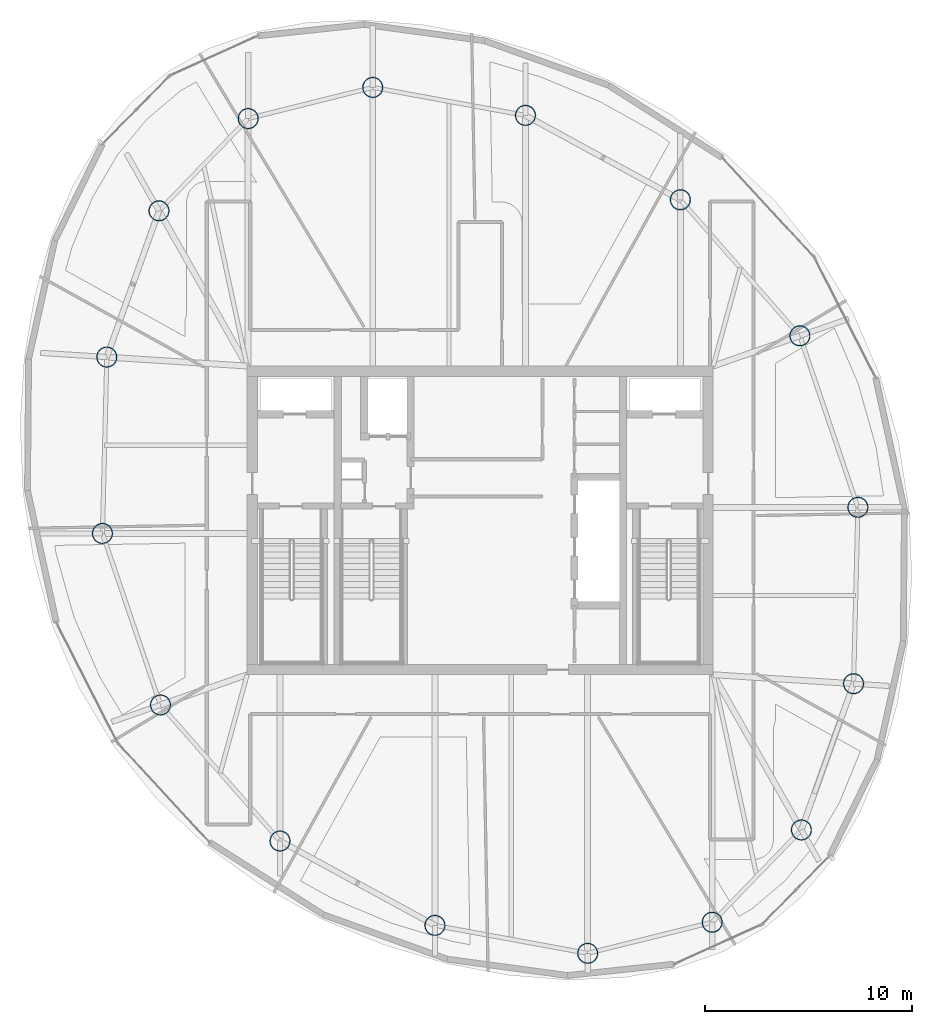
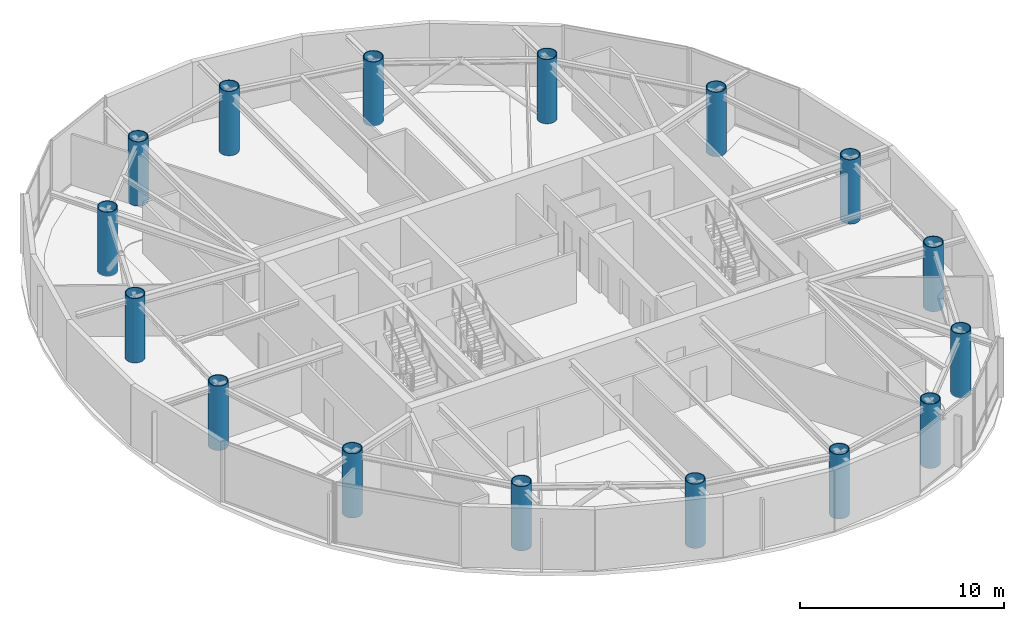
# One storey, part 1 of 22: 16 columns.
"""IFC4 building model written with IfcOpenShell, lengths in metres."""

from ifc_helpers import new_model, si_unit, direction, frame, origin, origin_2d, place, context, subcontext, project, spatial, hollow_circle, extrude, material, material_profile, profile_set, type_object, element, save


model = new_model("IFC4")

# Units and contexts
model_context = context("Model", 3, precision=1e-05, world=origin(), true_north=direction((0.0, 1.0)))
body_context = subcontext(model_context, "Body", "Model", "MODEL_VIEW")
ifc_project = project(units=[si_unit("LENGTHUNIT", "METRE"), si_unit("AREAUNIT", "SQUARE_METRE"), si_unit("VOLUMEUNIT", "CUBIC_METRE"), si_unit("PLANEANGLEUNIT", "RADIAN"), si_unit("MASSUNIT", "GRAM", prefix="KILO")], contexts=[model_context])

# Site, building, storey
site_placement = place(None, origin())
site = spatial("IfcSite", under=ifc_project, at=site_placement, CompositionType="ELEMENT")
building_placement = place(site_placement, origin())
building = spatial("IfcBuilding", under=site, at=building_placement, Name="Bramvorn Convention Spire", CompositionType="ELEMENT")
storey_placement = place(building_placement, frame((0.0, 0.0, 253.60009765625)))
storey = spatial("IfcBuildingStorey", under=building, at=storey_placement, Name="L64", CompositionType="ELEMENT", Elevation=253.60009765625)

# Columns
ifc_material = material(Name="Steel CSA G40.21 Grade 350 (350W)", Category="steel")
ifc_material_profile = material_profile(ifc_material, hollow_circle(Radius=0.5, WallThickness=0.044921875, at=origin_2d()))
ifc_profile_set = profile_set([ifc_material_profile], Name="Steel CSA G40.21 Grade 350 (350W) - CFT1000X45")
column_type = type_object("IfcColumnType", Name="COL-CFT1000X45", PredefinedType="COLUMN", material=ifc_profile_set)
for number, where, z_axis, x_axis, name in (
    (1, (49.199951171875, 6.60107421875, 0.0), (0.0, 0.0, 1.0), (1.0, 0.0, 0.0), "L64 composite CFT mega-column MC01"),
    (2, (53.50634765625, 11.05615234375, 0.0), (0.0, 0.0, 1.0), (1.0, 0.0, 0.0), "L64 composite CFT mega-column MC02"),
    (3, (56.023681640625, 18.116455078125, 0.0), (0.0, 0.0, 1.0), (1.0, 0.0, 0.0), "L64 composite CFT mega-column MC03"),
    (4, (56.234619140625, 26.62939453125, 0.0), (0.0, 0.0, 1.0), (1.0, 0.0, 0.0), "L64 composite CFT mega-column MC04"),
    (5, (53.4326171875, 34.909912109375, 0.0), (0.0, 0.0, 1.0), (1.0, 0.0, 0.0), "L64 composite CFT mega-column MC05"),
    (6, (47.662353515625, 41.476806640625, 0.0), (0.0, 0.0, 1.0), (1.0, 0.0, 0.0), "L64 composite CFT mega-column MC06"),
    (7, (40.1845703125, 45.55078125, 0.0), (0.0, 0.0, 1.0), (1.0, 0.0, 0.0), "L64 composite CFT mega-column MC07"),
    (8, (32.8115234375, 46.90087890625, 0.0), (0.0, 0.0, 1.0), (1.0, 0.0, 0.0), "L64 composite CFT mega-column MC08"),
    (9, (26.800048828125, 45.39892578125, 0.0), (0.0, 0.0, 1.0), (1.0, 0.0, 0.0), "L64 composite CFT mega-column MC09"),
    (10, (22.49365234375, 40.94384765625, 0.0), (0.0, 0.0, 1.0), (1.0, 0.0, 0.0), "L64 composite CFT mega-column MC10"),
    (11, (19.976318359375, 33.883544921875, 0.0), (0.0, 0.0, 1.0), (1.0, 0.0, 0.0), "L64 composite CFT mega-column MC11"),
    (12, (19.765380859375, 25.37060546875, 0.0), (0.0, 0.0, 1.0), (1.0, 0.0, 0.0), "L64 composite CFT mega-column MC12"),
    (13, (22.5673828125, 17.090087890625, 0.0), (0.0, 0.0, 1.0), (1.0, 0.0, 0.0), "L64 composite CFT mega-column MC13"),
    (14, (28.337646484375, 10.523193359375, 0.0), (0.0, 0.0, 1.0), (1.0, 0.0, 0.0), "L64 composite CFT mega-column MC14"),
    (15, (35.8154296875, 6.44921875, 0.0), (0.0, 0.0, 1.0), (1.0, 0.0, 0.0), "L64 composite CFT mega-column MC15"),
    (16, (43.1884765625, 5.09912109375, 0.0), (0.0, 0.0, 1.0), (1.0, 0.0, 0.0), "L64 composite CFT mega-column MC16"),
):
    element("IfcColumn", number, at=place(storey_placement, frame(where, z_axis=z_axis, x_axis=x_axis)), inside=storey, type_object=column_type, Name=name, PredefinedType="COLUMN", context=body_context, shape_type="SweptSolid", body=[
        extrude(hollow_circle(Radius=0.5, WallThickness=0.044921875, at=origin_2d()), origin(), (0.0, 0.0, 1.0), 3.849853515625),
    ])

save(model, "model.ifc")
